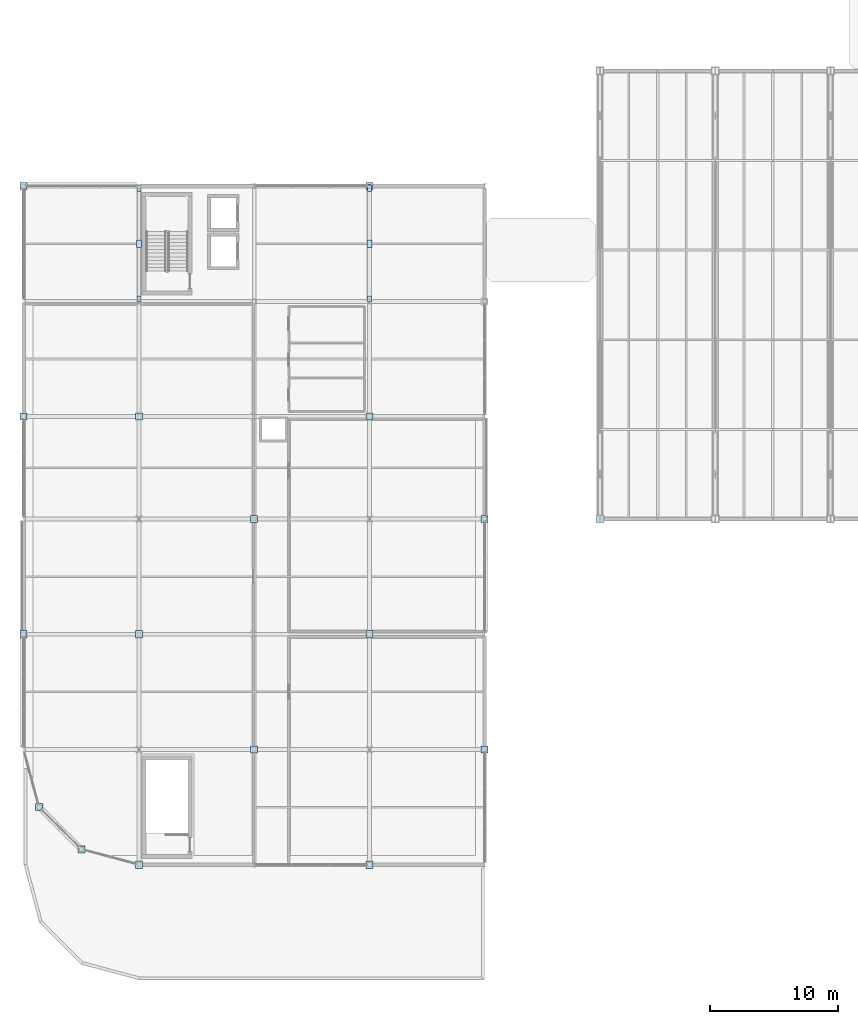
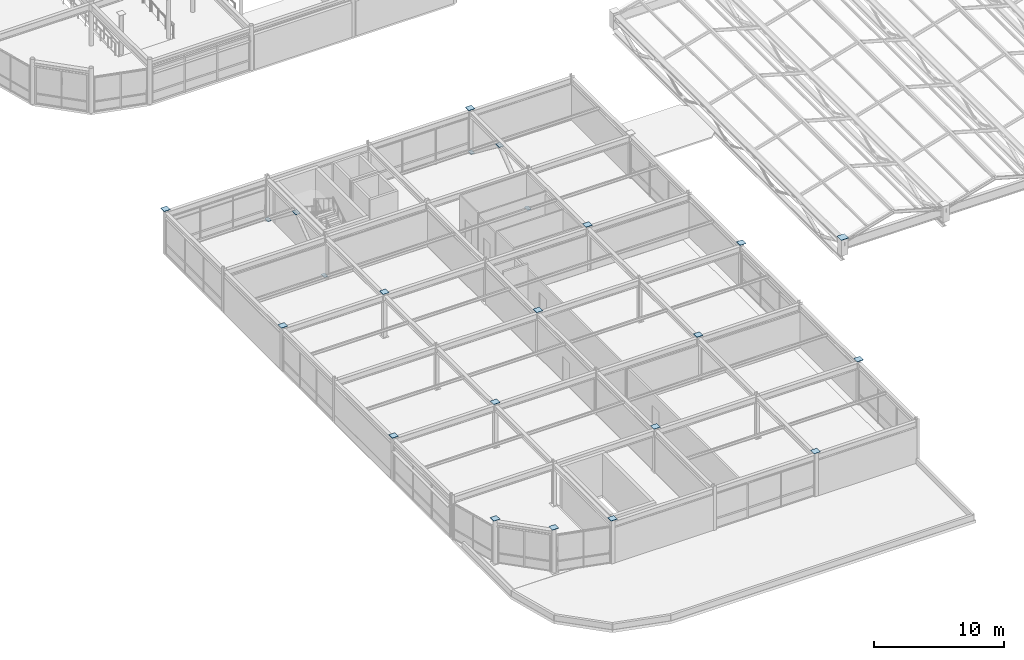
# One storey, part 69 of 108: 23 plates.
"""IFC4 building model written with IfcOpenShell, lengths in metres."""

import ifcopenshell
import ifcopenshell.guid

model = None  # the IFC model being written
_history = None  # IfcOwnerHistory: only IFC2X3 demands one
_inside = {}  # id of a spatial element -> (the spatial element, [elements in it])
_under = {}  # id of a project, library or spatial element -> (it, [spatial elements below it])
_declared = {}  # id of a project -> (the project, [libraries it declares])
_typed = {}  # id of a type object -> (the type object, [elements of that type])
_made_of = {}  # id of a material, layer set ... -> (it, [elements and type objects made of it])


def new_model(schema):
    """Start an empty IFC model of exactly this schema.

    Asked for "IFC4X3", IfcOpenShell would pick the latest addendum, in which some entities
    have other attributes; the version numbers below select the first issue.
    IFC2X3 requires an IfcOwnerHistory on every rooted entity: one is made here for all.
    """
    global model, _history
    if schema == "IFC4X3":
        model = ifcopenshell.file(schema_version=(4, 3, 0, 0))
    else:
        model = ifcopenshell.file(schema=schema)
    _inside.clear()
    _under.clear()
    _declared.clear()
    _typed.clear()
    _made_of.clear()
    _history = None
    if model.schema == "IFC2X3":
        org = make("IfcOrganization", Name="unknown")
        user = make(
            "IfcPersonAndOrganization",
            ThePerson=make("IfcPerson", FamilyName="unknown"),
            TheOrganization=org,
        )
        app = make(
            "IfcApplication",
            ApplicationDeveloper=org,
            Version="unknown",
            ApplicationFullName="unknown",
            ApplicationIdentifier="unknown",
        )
        _history = make(
            "IfcOwnerHistory",
            OwningUser=user,
            OwningApplication=app,
            ChangeAction="ADDED",
            CreationDate=0,
        )
    return model


def make(cls, **values):
    """One entity of the class cls with the attributes given. An attribute that is None is left unset."""
    return model.create_entity(
        cls, **{name: value for name, value in values.items() if value is not None}
    )


def rooted(cls, **values):
    """An entity with a GlobalId (a new one), such as an element, a storey or a relation."""
    return make(cls, GlobalId=ifcopenshell.guid.new(), OwnerHistory=_history, **values)


def si_unit(unit_type, name, prefix=None):
    """IfcSIUnit, for example si_unit("LENGTHUNIT", "METRE", prefix="MILLI")."""
    return make("IfcSIUnit", UnitType=unit_type, Prefix=prefix, Name=name)


def assignment(units):
    """IfcUnitAssignment: the units of a project."""
    return None if units is None else make("IfcUnitAssignment", Units=units)


def point(xyz):
    """IfcCartesianPoint."""
    return None if xyz is None else make("IfcCartesianPoint", Coordinates=xyz)


def direction(xyz):
    """IfcDirection."""
    return None if xyz is None else make("IfcDirection", DirectionRatios=xyz)


def frame(location, z_axis=None, x_axis=None):
    """IfcAxis2Placement3D, a coordinate frame: its origin and axes. An axis left out is left unset."""
    return make(
        "IfcAxis2Placement3D",
        Location=point(location),
        Axis=direction(z_axis),
        RefDirection=direction(x_axis),
    )


def frame_2d(location, x_axis=None):
    """IfcAxis2Placement2D, a coordinate frame in the plane: its origin and x axis."""
    return make(
        "IfcAxis2Placement2D", Location=point(location), RefDirection=direction(x_axis)
    )


def origin():
    """The frame at (0, 0, 0) with its axes left unset."""
    return frame((0.0, 0.0, 0.0))


def origin_2d():
    """The frame at (0, 0) in the plane with its x axis left unset."""
    return frame_2d((0.0, 0.0))


def place(relative_to, where):
    """IfcLocalPlacement: puts the frame where relative to a parent placement (None: the world)."""
    return make(
        "IfcLocalPlacement", PlacementRelTo=relative_to, RelativePlacement=where
    )


def context(
    kind, dimensions, precision=None, world=None, true_north=None, identifier=None
):
    """IfcGeometricRepresentationContext, for example the 3D "Model" context."""
    return make(
        "IfcGeometricRepresentationContext",
        ContextIdentifier=identifier,
        ContextType=kind,
        CoordinateSpaceDimension=dimensions,
        Precision=precision,
        WorldCoordinateSystem=world,
        TrueNorth=true_north,
    )


def subcontext(parent, identifier, kind, view, scale=None):
    """IfcGeometricRepresentationSubContext, for example "Body" below "Model"."""
    return make(
        "IfcGeometricRepresentationSubContext",
        ContextIdentifier=identifier,
        ContextType=kind,
        ParentContext=parent,
        TargetScale=scale,
        TargetView=view,
    )


def project(units=None, contexts=None):
    """IfcProject with its units and contexts."""
    return rooted(
        "IfcProject",
        Name="project",
        RepresentationContexts=contexts,
        UnitsInContext=assignment(units),
    )


def spatial(cls, under=None, at=None, **own):
    """A site, building, storey or space (cls), placed at a placement, below another one or the project."""
    s = rooted(cls, ObjectPlacement=at, **own)
    if under is not None:
        _under.setdefault(under.id(), (under, []))[1].append(s)
    return s


def profile(cls, at=None, kind="AREA", **sizes):
    """A parametric profile (cls). Its sizes go by their IFC names, for example OverallWidth=200.0."""
    return make(cls, ProfileType=kind, Position=at, **sizes)


def rectangle(**sizes):
    """IfcRectangleProfileDef."""
    return profile("IfcRectangleProfileDef", **sizes)


def extrude(swept, where, along, depth):
    """IfcExtrudedAreaSolid: the profile swept, set in the frame where, extruded along a direction by depth."""
    return make(
        "IfcExtrudedAreaSolid",
        SweptArea=swept,
        Position=where,
        ExtrudedDirection=direction(along),
        Depth=depth,
    )


def shape(context_of_items, identifier, shape_type, items):
    """IfcShapeRepresentation: the items that make up one representation, for example the "Body"."""
    return make(
        "IfcShapeRepresentation",
        ContextOfItems=context_of_items,
        RepresentationIdentifier=identifier,
        RepresentationType=shape_type,
        Items=items,
    )


def material(Name=None, Category=None):
    """IfcMaterial."""
    return make("IfcMaterial", Name=Name, Category=Category)


def layer(
    of_material, thickness, ventilated=None, Name=None, Category=None, Priority=None
):
    """IfcMaterialLayer: one layer of a wall or slab, of a material (None: an air gap)."""
    return make(
        "IfcMaterialLayer",
        Material=of_material,
        LayerThickness=thickness,
        IsVentilated=ventilated,
        Name=Name,
        Category=Category,
        Priority=Priority,
    )


def layer_set(layers, Name=None):
    """IfcMaterialLayerSet."""
    return make("IfcMaterialLayerSet", MaterialLayers=layers, LayerSetName=Name)


def made_of(thing, what):
    """Note that an element or type object is made of a material, layer set ...; save() writes the relation."""
    if what is not None:
        _made_of.setdefault(what.id(), (what, []))[1].append(thing)
    return thing


def type_object(cls, material=None, **own):
    """A type object (cls), such as IfcWallType, which elements share."""
    return made_of(rooted(cls, **own), material)


def element(
    cls,
    number,
    at=None,
    inside=None,
    cuts=None,
    type_object=None,
    material=None,
    context=None,
    identifier="Body",
    shape_type=None,
    held_by="IfcProductDefinitionShape",
    body=None,
    shapes=None,
    **own,
):
    """One element of the class cls, such as IfcWall. Its Tag is "e" and its number.

    at: its placement. inside: the storey or other place that contains it. cuts: it is an
    opening in that element (IfcRelVoidsElement). A single representation is given by context,
    identifier, shape_type and body (its items); several are given by shapes. held_by: the class
    of the entity that holds the representations. save() writes the other relations.
    """
    e = rooted(cls, Tag="e%d" % number, ObjectPlacement=at, **own)
    if body is not None:
        shapes = [shape(context, identifier, shape_type, body)]
    if shapes is not None:
        e.Representation = make(held_by, Representations=shapes)
    if inside is not None:
        _inside.setdefault(inside.id(), (inside, []))[1].append(e)
    if cuts is not None:
        rooted(
            "IfcRelVoidsElement", RelatingBuildingElement=cuts, RelatedOpeningElement=e
        )
    if type_object is not None:
        _typed.setdefault(type_object.id(), (type_object, []))[1].append(e)
    return made_of(e, material)


def aggregate(whole, parts):
    """IfcRelAggregates: a whole, such as a stair, and the parts it consists of."""
    return rooted("IfcRelAggregates", RelatingObject=whole, RelatedObjects=parts)


def save(model, path):
    """Write the relations noted so far, then the file.

    IfcRelAggregates (storeys below a building ...), IfcRelContainedInSpatialStructure (elements
    in a storey), IfcRelDefinesByType, IfcRelAssociatesMaterial and IfcRelDeclares: one each for
    every whole, place, type object, material and project.
    """
    for whole, parts in _under.values():
        aggregate(whole, parts)
    for where, things in _inside.values():
        rooted(
            "IfcRelContainedInSpatialStructure",
            RelatedElements=things,
            RelatingStructure=where,
        )
    for kind, things in _typed.values():
        rooted("IfcRelDefinesByType", RelatedObjects=things, RelatingType=kind)
    for what, things in _made_of.values():
        rooted("IfcRelAssociatesMaterial", RelatedObjects=things, RelatingMaterial=what)
    for by, libraries in _declared.values():
        rooted("IfcRelDeclares", RelatingContext=by, RelatedDefinitions=libraries)
    model.write(path)


model = new_model("IFC4")

# Units and contexts
model_context = context("Model", 3, precision=1e-05, world=origin(), true_north=direction((0.0, 1.0)))
body_context = subcontext(model_context, "Body", "Model", "MODEL_VIEW")
ifc_project = project(units=[si_unit("LENGTHUNIT", "METRE"), si_unit("AREAUNIT", "SQUARE_METRE"), si_unit("VOLUMEUNIT", "CUBIC_METRE"), si_unit("PLANEANGLEUNIT", "RADIAN"), si_unit("MASSUNIT", "GRAM", prefix="KILO")], contexts=[model_context])

# Site, building, storey
site_placement = place(None, origin())
site = spatial("IfcSite", under=ifc_project, at=site_placement, CompositionType="ELEMENT")
building_placement = place(site_placement, origin())
building = spatial("IfcBuilding", under=site, at=building_placement, Name="Suzunagisa Mobility Hub", CompositionType="ELEMENT")
storey_placement = place(building_placement, frame((0.0, 0.0, 9.300048828125)))
storey = spatial("IfcBuildingStorey", under=building, at=storey_placement, Name="L02", CompositionType="ELEMENT", Elevation=9.300048828125)

# Plates
ifc_material = material(Name="Steel SN490B", Category="steel")
ifc_layer_1 = layer(ifc_material, 0.02392578125)
ifc_layer_set_1 = layer_set([ifc_layer_1], Name="Steel SN490B")
plate_type_1 = type_object("IfcPlateType", Name="Structural Steel Plate SP-01 550x550x24", PredefinedType="USERDEFINED", material=ifc_layer_set_1)
for number, where, z_axis, x_axis, name in (
    (1, (0.0, 27.0, 4.139892578125), (0.0, 0.0, 1.0), (1.0, 0.0, 0.0), "L02 Column Cap Plate CP-3"),
    (2, (0.0, 44.0, 4.139892578125), (0.0, 0.0, 1.0), (1.0, 0.0, 0.0), "L02 Column Cap Plate CP-5"),
    (3, (0.0, 62.0, 4.139892578125), (0.0, 0.0, 1.0), (1.0, 0.0, 0.0), "L02 Column Cap Plate CP-7"),
    (4, (1.205810546875, 13.5, 4.139892578125), (0.0, 0.0, 1.0), (1.0, 0.0, 0.0), "L02 Column Cap Plate CP-12"),
    (5, (4.5, 10.205810546875, 4.139892578125), (0.0, 0.0, 1.0), (1.0, 0.0, 0.0), "L02 Column Cap Plate CP-17"),
    (6, (9.0, 9.0, 4.139892578125), (0.0, 0.0, 1.0), (1.0, 0.0, 0.0), "L02 Column Cap Plate CP-21"),
    (7, (9.0, 27.0, 4.139892578125), (0.0, 0.0, 1.0), (1.0, 0.0, 0.0), "L02 Column Cap Plate CP-23"),
    (8, (9.0, 44.0, 4.139892578125), (0.0, 0.0, 1.0), (1.0, 0.0, 0.0), "L02 Column Cap Plate CP-25"),
    (9, (18.0, 18.0, 4.139892578125), (0.0, 0.0, 1.0), (1.0, 0.0, 0.0), "L02 Column Cap Plate CP-43"),
    (10, (18.0, 36.0, 4.139892578125), (0.0, 0.0, 1.0), (1.0, 0.0, 0.0), "L02 Column Cap Plate CP-45"),
    (11, (27.0, 9.0, 4.139892578125), (0.0, 0.0, 1.0), (1.0, 0.0, 0.0), "L02 Column Cap Plate CP-63"),
    (12, (27.0, 27.0, 4.139892578125), (0.0, 0.0, 1.0), (1.0, 0.0, 0.0), "L02 Column Cap Plate CP-65"),
    (13, (27.0, 44.0, 4.139892578125), (0.0, 0.0, 1.0), (1.0, 0.0, 0.0), "L02 Column Cap Plate CP-67"),
    (14, (27.0, 62.0, 4.139892578125), (0.0, 0.0, 1.0), (1.0, 0.0, 0.0), "L02 Column Cap Plate CP-69"),
    (15, (36.0, 18.0, 4.139892578125), (0.0, 0.0, 1.0), (1.0, 0.0, 0.0), "L02 Column Cap Plate CP-79"),
    (16, (36.0, 36.0, 4.139892578125), (0.0, 0.0, 1.0), (1.0, 0.0, 0.0), "L02 Column Cap Plate CP-81"),
):
    element("IfcPlate", number, at=place(storey_placement, frame(where, z_axis=z_axis, x_axis=x_axis)), inside=storey, type_object=plate_type_1, Name=name, ObjectType="BASE PLATE", PredefinedType="USERDEFINED", context=body_context, shape_type="SweptSolid", body=[
        extrude(rectangle(XDim=0.550048828125, YDim=0.550048828125, at=origin_2d()), origin(), (0.0, 0.0, 1.0), 0.02392578125),
    ])
ifc_layer_2 = layer(ifc_material, 0.028076171875)
ifc_layer_set_2 = layer_set([ifc_layer_2], Name="Steel SN490B")
plate_type_2 = type_object("IfcPlateType", Name="Structural Steel Plate SP-04 480x320x28", PredefinedType="USERDEFINED", material=ifc_layer_set_2)
for number, where, z_axis, x_axis, name in (
    (17, (9.0, 53.18994140625, 0.10595703125), (0.0, 0.0, 1.0), (1.0, 0.0, 0.0), "L02 Brace Foot Gusset Plate FGP-103.1"),
    (18, (9.0, 61.830078125, 0.10595703125), (0.0, 0.0, 1.0), (1.0, 0.0, 0.0), "L02 Brace Foot Gusset Plate FGP-103.2"),
    (19, (27.0, 53.18994140625, 0.10595703125), (0.0, 0.0, 1.0), (1.0, 0.0, 0.0), "L02 Brace Foot Gusset Plate FGP-106.1"),
    (20, (27.0, 61.830078125, 0.10595703125), (0.0, 0.0, 1.0), (1.0, 0.0, 0.0), "L02 Brace Foot Gusset Plate FGP-106.2"),
):
    element("IfcPlate", number, at=place(storey_placement, frame(where, z_axis=z_axis, x_axis=x_axis)), inside=storey, type_object=plate_type_2, Name=name, ObjectType="GUSSET PLATE", PredefinedType="USERDEFINED", context=body_context, shape_type="SweptSolid", body=[
        extrude(rectangle(XDim=0.320068359375, YDim=0.47998046875, at=origin_2d()), origin(), (0.0, 0.0, 1.0), 0.028076171875),
    ])
ifc_layer_3 = layer(ifc_material, 0.031982421875)
ifc_layer_set_3 = layer_set([ifc_layer_3], Name="Steel SN490B")
plate_type_3 = type_object("IfcPlateType", Name="Structural Steel Plate SP-05 650x650x32", PredefinedType="USERDEFINED", material=ifc_layer_set_3)
plate_placement = place(storey_placement, frame((45.0, 36.0, 1.5), z_axis=(0.0, 0.0, 1.0), x_axis=(1.0, 0.0, 0.0)))
element("IfcPlate", 21, at=plate_placement, inside=storey, type_object=plate_type_3, Name="L02 Column Cap Plate CP-115", ObjectType="BASE PLATE", PredefinedType="USERDEFINED", context=body_context, shape_type="SweptSolid", body=[
    extrude(rectangle(XDim=0.64990234375, YDim=0.64990234375, at=origin_2d()), origin(), (0.0, 0.0, 1.0), 0.031982421875),
])
ifc_layer_4 = layer(ifc_material, 0.028076171875)
ifc_layer_set_4 = layer_set([ifc_layer_4], Name="Steel SN490B")
plate_type_4 = type_object("IfcPlateType", Name="Structural Steel Plate SP-06 600x400x28", PredefinedType="USERDEFINED", material=ifc_layer_set_4)
for number, where, z_axis, x_axis, name in (
    (22, (9.0, 57.5, 3.40380859375), (0.0, 0.0, 1.0), (1.0, 0.0, 0.0), "L02 Brace Apex Gusset GP-103"),
    (23, (27.0, 57.5, 3.40380859375), (0.0, 0.0, 1.0), (1.0, 0.0, 0.0), "L02 Brace Apex Gusset GP-106"),
):
    element("IfcPlate", number, at=place(storey_placement, frame(where, z_axis=z_axis, x_axis=x_axis)), inside=storey, type_object=plate_type_4, Name=name, ObjectType="GUSSET PLATE", PredefinedType="USERDEFINED", context=body_context, shape_type="SweptSolid", body=[
        extrude(rectangle(XDim=0.39990234375, YDim=0.60009765625, at=origin_2d()), origin(), (0.0, 0.0, 1.0), 0.028076171875),
    ])

save(model, "model.ifc")
